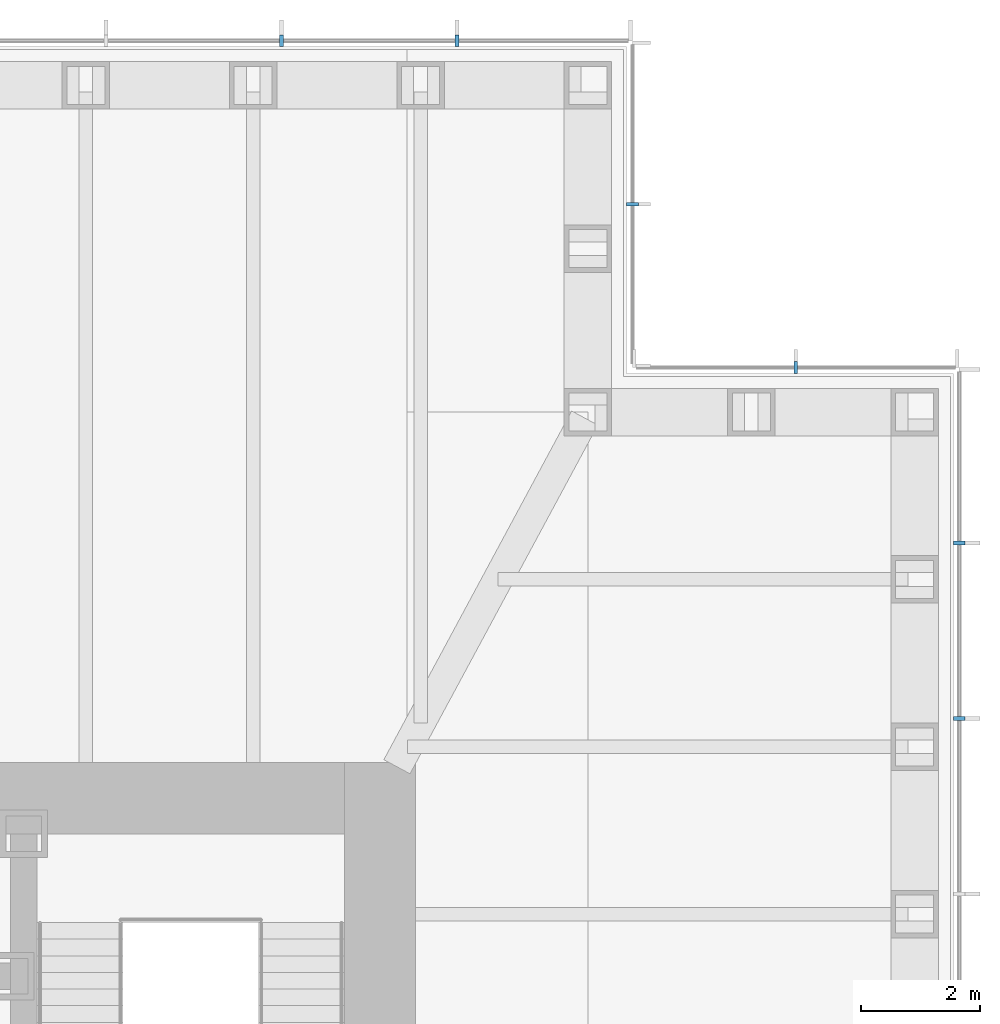
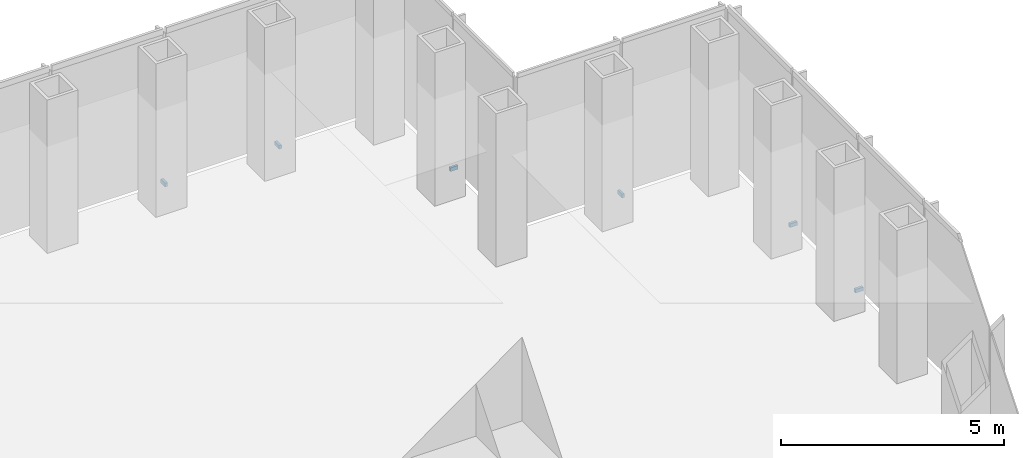
# One storey, part 15 of 16: 6 discrete accessories.
"""IFC4 building model written with IfcOpenShell, lengths in metres."""

from ifc_helpers import new_model, si_unit, direction, frame, origin, origin_2d, place, context, subcontext, project, spatial, rectangle, extrude, element, save


model = new_model("IFC4")

# Units and contexts
model_context = context("Model", 3, precision=1e-05, world=origin(), true_north=direction((0.0, 1.0)))
body_context = subcontext(model_context, "Body", "Model", "MODEL_VIEW")
ifc_project = project(units=[si_unit("LENGTHUNIT", "METRE"), si_unit("AREAUNIT", "SQUARE_METRE"), si_unit("VOLUMEUNIT", "CUBIC_METRE"), si_unit("PLANEANGLEUNIT", "RADIAN"), si_unit("MASSUNIT", "GRAM", prefix="KILO")], contexts=[model_context])

# Site, building, storey
site_placement = place(None, origin())
site = spatial("IfcSite", under=ifc_project, at=site_placement, CompositionType="ELEMENT")
building_placement = place(site_placement, origin())
building = spatial("IfcBuilding", under=site, at=building_placement, Name="Daluyong Arena Tower", CompositionType="ELEMENT")
storey_placement = place(building_placement, frame((0.0, 0.0, 231.699951171875)))
storey = spatial("IfcBuildingStorey", under=building, at=storey_placement, Name="L52", CompositionType="ELEMENT", Elevation=231.699951171875)

# Discrete accessories
for number, where, z_axis, x_axis, name in (
    (1, (77.75, 90.3408203125, -0.10009765625), (0.0, 0.0, 1.0), (0.0, 1.0, 0.0), "curtain wall L52 E anchor bracket 10"),
    (2, (77.75, 93.29541015625, -0.10009765625), (0.0, 0.0, 1.0), (0.0, 1.0, 0.0), "curtain wall L52 E anchor bracket 11"),
):
    element("IfcDiscreteAccessory", number, at=place(storey_placement, frame(where, z_axis=z_axis, x_axis=x_axis)), inside=storey, Name=name, PredefinedType="BRACKET", context=body_context, shape_type="SweptSolid", body=[
        extrude(rectangle(XDim=0.070068359375, YDim=0.199951171875, at=origin_2d()), origin(), (0.0, 0.0, 1.0), 0.10009765625),
    ])
for number, where, z_axis, x_axis, name in (
    (3, (75.0, 96.25, -0.10009765625), (0.0, 0.0, 1.0), (-1.0, 0.0, 0.0), "curtain wall L52 NE-N anchor bracket 2"),
    (4, (72.25, 99.0, -0.10009765625), (0.0, 0.0, 1.0), (0.0, 1.0, 0.0), "curtain wall L52 NE-E anchor bracket 2"),
):
    element("IfcDiscreteAccessory", number, at=place(storey_placement, frame(where, z_axis=z_axis, x_axis=x_axis)), inside=storey, Name=name, PredefinedType="BRACKET", context=body_context, shape_type="SweptSolid", body=[
        extrude(rectangle(XDim=0.06005859375, YDim=0.199951171875, at=origin_2d()), origin(), (0.0, 0.0, 1.0), 0.10009765625),
    ])
for number, where, z_axis, x_axis, name in (
    (5, (69.29541015625, 101.75, -0.10009765625), (0.0, 0.0, 1.0), (-1.0, 0.0, 0.0), "curtain wall L52 N anchor bracket 2"),
    (6, (66.3408203125, 101.75, -0.10009765625), (0.0, 0.0, 1.0), (-1.0, 0.0, 0.0), "curtain wall L52 N anchor bracket 3"),
):
    element("IfcDiscreteAccessory", number, at=place(storey_placement, frame(where, z_axis=z_axis, x_axis=x_axis)), inside=storey, Name=name, PredefinedType="BRACKET", context=body_context, shape_type="SweptSolid", body=[
        extrude(rectangle(XDim=0.070068359375, YDim=0.199951171875, at=origin_2d()), origin(), (0.0, 0.0, 1.0), 0.10009765625),
    ])

save(model, "model.ifc")
